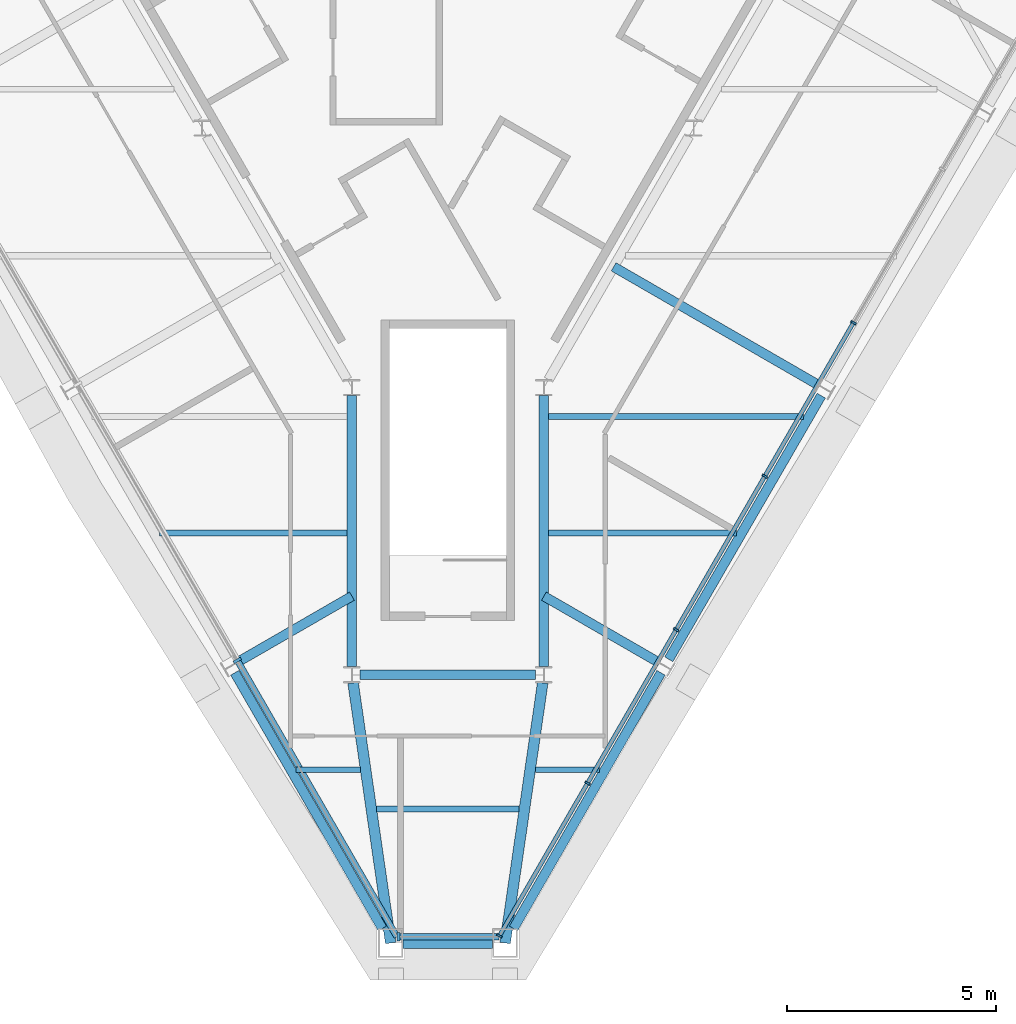
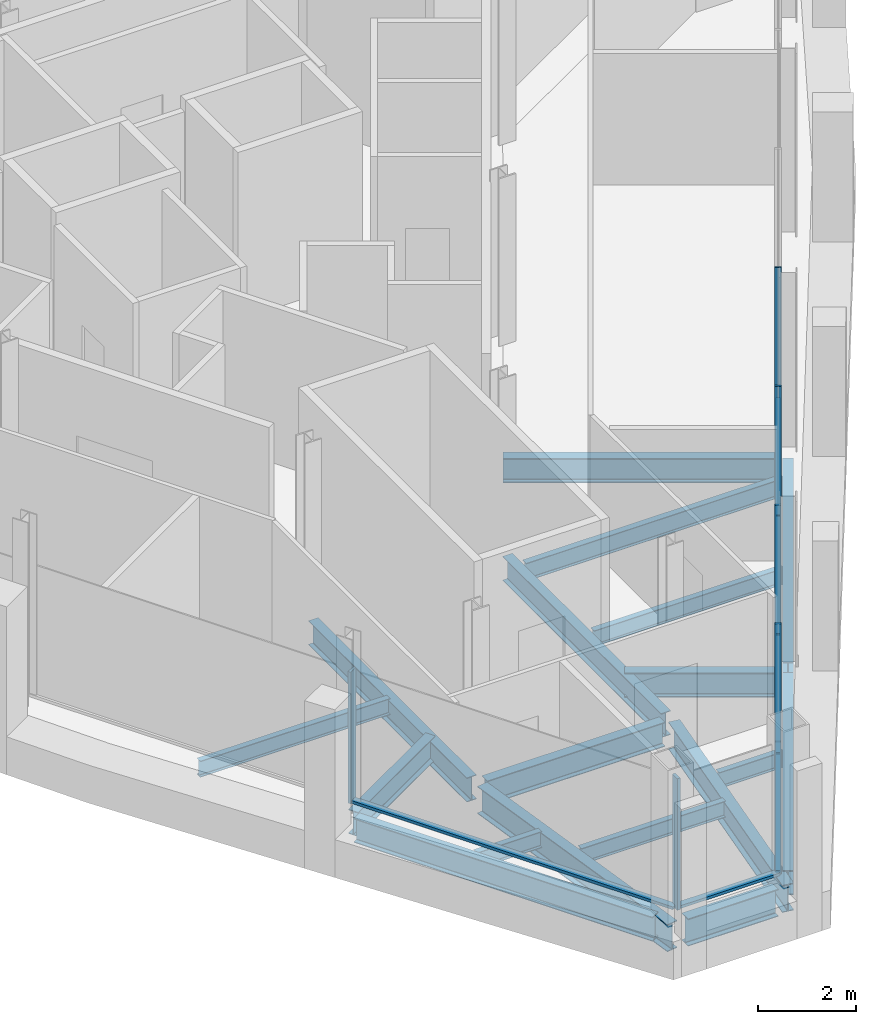
# One storey, part 3 of 11: 18 beams, 13 members, 3 elements without a shape of their own.
"""IFC4 building model written with IfcOpenShell, lengths in metres."""

from ifc_helpers import new_model, si_unit, direction, frame, origin, origin_2d, place, context, subcontext, project, spatial, rectangle, i_section, extrude, material, material_profile, profile_set, type_object, element, aggregate, save


model = new_model("IFC4")

# Units and contexts
model_context = context("Model", 3, precision=1e-05, world=origin(), true_north=direction((0.0, 1.0)))
body_context = subcontext(model_context, "Body", "Model", "MODEL_VIEW")
ifc_project = project(units=[si_unit("LENGTHUNIT", "METRE"), si_unit("AREAUNIT", "SQUARE_METRE"), si_unit("VOLUMEUNIT", "CUBIC_METRE"), si_unit("PLANEANGLEUNIT", "RADIAN"), si_unit("MASSUNIT", "GRAM", prefix="KILO")], contexts=[model_context])

# Site, building, storey
site_placement = place(None, origin())
site = spatial("IfcSite", under=ifc_project, at=site_placement, CompositionType="ELEMENT")
building_placement = place(site_placement, origin())
building = spatial("IfcBuilding", under=site, at=building_placement, Name="Verrane Prism Tower", CompositionType="ELEMENT")
storey_placement = place(building_placement, frame((0.0, 0.0, 329.39990234375)))
storey = spatial("IfcBuildingStorey", under=building, at=storey_placement, Name="L83", CompositionType="ELEMENT", Elevation=329.39990234375)

# Beams
ifc_material_1 = material(Name="Steel A992", Category="steel")
ifc_material_profile_1 = material_profile(ifc_material_1, i_section(OverallWidth=0.25390625, OverallDepth=0.683349609375, WebThickness=0.012451171875, FlangeThickness=0.01904296875, FilletRadius=0.01513671875, at=origin_2d()), Name="W27x94")
ifc_profile_set_1 = profile_set([ifc_material_profile_1], Name="Steel A992")
beam_type_1 = type_object("IfcBeamType", Name="Chamfer spandrel beam W27x94", PredefinedType="SPANDREL", material=ifc_profile_set_1)
beam_1_placement = place(storey_placement, frame((-1.070068359375, -22.929931640625, -0.50146484375), z_axis=(1.0, 0.0, 0.0), x_axis=(0.0, 1.0, 0.0)))
element("IfcBeam", 1, at=beam_1_placement, inside=storey, type_object=beam_type_1, Name="Chamfer spandrel beam L83", PredefinedType="SPANDREL", context=body_context, shape_type="SweptSolid", body=[
    extrude(i_section(OverallWidth=0.25390625, OverallDepth=0.683349609375, WebThickness=0.012451171875, FlangeThickness=0.01904296875, FilletRadius=0.01513671875, at=origin_2d()), origin(), (0.0, 0.0, 1.0), 2.14013671875),
])
ifc_material_2 = material(Name="Steel A992", Category="steel")
ifc_material_profile_2 = material_profile(ifc_material_2, i_section(OverallWidth=0.228271484375, OverallDepth=0.607177734375, WebThickness=0.01123046875, FlangeThickness=0.017333984375, FilletRadius=0.0126953125, at=origin_2d()), Name="W24x76")
ifc_profile_set_2 = profile_set([ifc_material_profile_2], Name="Steel A992")
beam_type_2 = type_object("IfcBeamType", Name="Core ring girder W24x76", PredefinedType="BEAM", material=ifc_profile_set_2)
beam_2_placement = place(storey_placement, frame((-2.300048828125, -9.81298828125, -0.553466796875), z_axis=(0.0, -1.0, 0.0), x_axis=(1.0, 0.0, 0.0)))
element("IfcBeam", 2, at=beam_2_placement, inside=storey, type_object=beam_type_2, Name="Core ring girder L83", PredefinedType="BEAM", context=body_context, shape_type="SweptSolid", body=[
    extrude(i_section(OverallWidth=0.228271484375, OverallDepth=0.607177734375, WebThickness=0.01123046875, FlangeThickness=0.017333984375, FilletRadius=0.0126953125, at=origin_2d()), origin(), (0.0, 0.0, 1.0), 6.493896484375),
])
beam_3_placement = place(storey_placement, frame((-2.1005859375, -16.5, -0.553466796875), z_axis=(1.0, 0.0, 0.0), x_axis=(0.0, 1.0, 0.0)))
element("IfcBeam", 3, at=beam_3_placement, inside=storey, type_object=beam_type_2, Name="Core ring girder L83", PredefinedType="BEAM", context=body_context, shape_type="SweptSolid", body=[
    extrude(i_section(OverallWidth=0.228271484375, OverallDepth=0.607177734375, WebThickness=0.01123046875, FlangeThickness=0.017333984375, FilletRadius=0.0126953125, at=origin_2d()), origin(), (0.0, 0.0, 1.0), 4.201171875),
])
beam_4_placement = place(storey_placement, frame((2.300048828125, -16.306884765625, -0.553466796875), z_axis=(0.0, 1.0, 0.0), x_axis=(-1.0, 0.0, 0.0)))
element("IfcBeam", 4, at=beam_4_placement, inside=storey, type_object=beam_type_2, Name="Core ring girder L83", PredefinedType="BEAM", context=body_context, shape_type="SweptSolid", body=[
    extrude(i_section(OverallWidth=0.228271484375, OverallDepth=0.607177734375, WebThickness=0.01123046875, FlangeThickness=0.017333984375, FilletRadius=0.0126953125, at=origin_2d()), origin(), (0.0, 0.0, 1.0), 6.493896484375),
])
ifc_material_3 = material(Name="Steel A992", Category="steel")
ifc_material_profile_3 = material_profile(ifc_material_3, i_section(OverallWidth=0.25390625, OverallDepth=0.683349609375, WebThickness=0.012451171875, FlangeThickness=0.01904296875, FilletRadius=0.01513671875, at=origin_2d()), Name="W27x94")
ifc_profile_set_3 = profile_set([ifc_material_profile_3], Name="Steel A992")
beam_type_3 = type_object("IfcBeamType", Name="Corner girder W27x94", PredefinedType="BEAM", material=ifc_profile_set_3)
beam_5_placement = place(storey_placement, frame((-1.37060546875, -22.926513671875, -0.5615234375), z_axis=(-0.143152302146, 0.989700671107, 0.0), x_axis=(-0.989700671107, -0.143152302146, 0.0)))
element("IfcBeam", 5, at=beam_5_placement, inside=storey, type_object=beam_type_3, Name="Corner girder L83", PredefinedType="BEAM", context=body_context, shape_type="SweptSolid", body=[
    extrude(i_section(OverallWidth=0.25390625, OverallDepth=0.683349609375, WebThickness=0.012451171875, FlangeThickness=0.01904296875, FilletRadius=0.01513671875, at=origin_2d()), origin(), (0.0, 0.0, 1.0), 6.29833984375),
])
beam_6_placement = place(storey_placement, frame((1.37060546875, -22.92626953125, -0.5615234375), z_axis=(0.143157794237, 0.989699876705, 0.0), x_axis=(-0.989699876705, 0.143157794237, 0.0)))
element("IfcBeam", 6, at=beam_6_placement, inside=storey, type_object=beam_type_3, Name="Corner girder L83", PredefinedType="BEAM", context=body_context, shape_type="SweptSolid", body=[
    extrude(i_section(OverallWidth=0.25390625, OverallDepth=0.683349609375, WebThickness=0.012451171875, FlangeThickness=0.01904296875, FilletRadius=0.01513671875, at=origin_2d()), origin(), (0.0, 0.0, 1.0), 6.298095703125),
])
ifc_material_4 = material(Name="Steel A992", Category="steel")
ifc_material_profile_4 = material_profile(ifc_material_4, i_section(OverallWidth=0.140380859375, OverallDepth=0.40380859375, WebThickness=0.007080078125, FlangeThickness=0.01123046875, FilletRadius=0.01025390625, at=origin_2d()), Name="W16x31")
ifc_profile_set_4 = profile_set([ifc_material_profile_4], Name="Steel A992")
beam_type_4 = type_object("IfcBeamType", Name="Floor beam W16x31", PredefinedType="BEAM", material=ifc_profile_set_4)
beam_7_placement = place(storey_placement, frame((-6.9130859375, -13.10009765625, -0.36181640625), z_axis=(1.0, 0.0, 0.0), x_axis=(0.0, 1.0, 0.0)))
element("IfcBeam", 7, at=beam_7_placement, inside=storey, type_object=beam_type_4, Name="Floor beam L83", PredefinedType="BEAM", context=body_context, shape_type="SweptSolid", body=[
    extrude(i_section(OverallWidth=0.140380859375, OverallDepth=0.40380859375, WebThickness=0.007080078125, FlangeThickness=0.01123046875, FilletRadius=0.01025390625, at=origin_2d()), origin(), (0.0, 0.0, 1.0), 4.4990234375),
])
for number, where, z_axis, x_axis, name in (
    (8, (-3.635009765625, -18.77490234375, -0.36181640625), (1.0, 0.0, 0.0), (0.0, 1.0, 0.0), "Floor beam L83"),
    (9, (2.099365234375, -18.77490234375, -0.36181640625), (1.0, 0.0, 0.0), (0.0, 1.0, 0.0), "Floor beam L83"),
):
    element("IfcBeam", number, at=place(storey_placement, frame(where, z_axis=z_axis, x_axis=x_axis)), inside=storey, type_object=beam_type_4, Name=name, PredefinedType="BEAM", context=body_context, shape_type="SweptSolid", body=[
        extrude(i_section(OverallWidth=0.140380859375, OverallDepth=0.40380859375, WebThickness=0.007080078125, FlangeThickness=0.01123046875, FilletRadius=0.01025390625, at=origin_2d()), origin(), (0.0, 0.0, 1.0), 1.53564453125),
    ])
beam_8_placement = place(storey_placement, frame((2.4140625, -13.10009765625, -0.36181640625), z_axis=(1.0, 0.0, 0.0), x_axis=(0.0, 1.0, 0.0)))
element("IfcBeam", 10, at=beam_8_placement, inside=storey, type_object=beam_type_4, Name="Floor beam L83", PredefinedType="BEAM", context=body_context, shape_type="SweptSolid", body=[
    extrude(i_section(OverallWidth=0.140380859375, OverallDepth=0.40380859375, WebThickness=0.007080078125, FlangeThickness=0.01123046875, FilletRadius=0.01025390625, at=origin_2d()), origin(), (0.0, 0.0, 1.0), 4.4990234375),
])
beam_9_placement = place(storey_placement, frame((-1.706787109375, -19.715087890625, -0.36181640625), z_axis=(1.0, 0.0, 0.0), x_axis=(0.0, 1.0, 0.0)))
element("IfcBeam", 11, at=beam_9_placement, inside=storey, type_object=beam_type_4, Name="Floor beam L83", PredefinedType="BEAM", context=body_context, shape_type="SweptSolid", body=[
    extrude(i_section(OverallWidth=0.140380859375, OverallDepth=0.40380859375, WebThickness=0.007080078125, FlangeThickness=0.01123046875, FilletRadius=0.01025390625, at=origin_2d()), origin(), (0.0, 0.0, 1.0), 3.41357421875),
])
ifc_material_5 = material(Name="Steel A992", Category="steel")
ifc_material_profile_5 = material_profile(ifc_material_5, i_section(OverallWidth=0.15234375, OverallDepth=0.449462890625, WebThickness=0.007568359375, FlangeThickness=0.0107421875, FilletRadius=0.01025390625, at=origin_2d()), Name="W18x35")
ifc_profile_set_5 = profile_set([ifc_material_profile_5], Name="Steel A992")
beam_type_5 = type_object("IfcBeamType", Name="Floor beam W18x35", PredefinedType="BEAM", material=ifc_profile_set_5)
beam_10_placement = place(storey_placement, frame((2.4140625, -10.31005859375, -0.384765625), z_axis=(1.0, 0.0, 0.0), x_axis=(0.0, 1.0, 0.0)))
element("IfcBeam", 12, at=beam_10_placement, inside=storey, type_object=beam_type_5, Name="Floor beam L83", PredefinedType="BEAM", context=body_context, shape_type="SweptSolid", body=[
    extrude(i_section(OverallWidth=0.15234375, OverallDepth=0.449462890625, WebThickness=0.007568359375, FlangeThickness=0.0107421875, FilletRadius=0.01025390625, at=origin_2d()), origin(), (0.0, 0.0, 1.0), 6.112548828125),
])

# Curtain wall, members
ifc_material_6 = material(Name="Aluminium framed insulated glazing", Category="aluminium")
curtain_wall_type_1 = type_object("IfcCurtainWallType", Name="Curtain wall CW-C 4200 module", PredefinedType="NOTDEFINED", material=ifc_material_6)
curtain_wall_1_placement = place(storey_placement, origin())
curtain_wall_1 = element("IfcCurtainWall", 13, at=curtain_wall_1_placement, inside=storey, type_object=curtain_wall_type_1, Name="Glazed curtain wall south-east face L83", PredefinedType="NOTDEFINED")
ifc_material_7 = material(Name="Aluminium alloy 6063-T6", Category="aluminium")
ifc_material_profile_6 = material_profile(ifc_material_7, rectangle(XDim=0.139892578125, YDim=0.050048828125, at=origin_2d()), Name="Mullion 50x140 aluminium")
ifc_profile_set_6 = profile_set([ifc_material_profile_6], Name="Aluminium alloy 6063-T6")
member_type_1 = type_object("IfcMemberType", Name="Mullion 50x140 aluminium", PredefinedType="MULLION", material=ifc_profile_set_6)
member_1_placement = place(storey_placement, frame((1.235107421875, -22.755126953125, 0.0), z_axis=(0.0, 0.0, 1.0), x_axis=(-0.866025278644, 0.500000216749, 0.0)))
member_1 = element("IfcMember", 14, at=member_1_placement, type_object=member_type_1, Name="CW83.6 mullion 1", PredefinedType="MULLION", context=body_context, shape_type="SweptSolid", body=[
    extrude(rectangle(XDim=0.139892578125, YDim=0.050048828125, at=origin_2d()), origin(), (0.0, 0.0, 1.0), 3.296875),
])
member_2_placement = place(storey_placement, frame((3.346435546875, -19.098388671875, 0.0), z_axis=(0.0, 0.0, 1.0), x_axis=(-0.866025278644, 0.500000216749, 0.0)))
member_2 = element("IfcMember", 15, at=member_2_placement, type_object=member_type_1, Name="CW83.6 mullion 2", PredefinedType="MULLION", context=body_context, shape_type="SweptSolid", body=[
    extrude(rectangle(XDim=0.139892578125, YDim=0.050048828125, at=origin_2d()), origin(), (0.0, 0.0, 1.0), 3.296875),
])
member_3_placement = place(storey_placement, frame((5.47021484375, -15.419921875, 0.0), z_axis=(0.0, 0.0, 1.0), x_axis=(-0.866025278644, 0.500000216749, 0.0)))
member_3 = element("IfcMember", 16, at=member_3_placement, type_object=member_type_1, Name="CW83.6 mullion 3", PredefinedType="MULLION", context=body_context, shape_type="SweptSolid", body=[
    extrude(rectangle(XDim=0.139892578125, YDim=0.050048828125, at=origin_2d()), origin(), (0.0, 0.0, 1.0), 3.296875),
])
member_4_placement = place(storey_placement, frame((7.593994140625, -11.741455078125, 0.0), z_axis=(0.0, 0.0, 1.0), x_axis=(-0.866025278644, 0.500000216749, 0.0)))
member_4 = element("IfcMember", 17, at=member_4_placement, type_object=member_type_1, Name="CW83.6 mullion 4", PredefinedType="MULLION", context=body_context, shape_type="SweptSolid", body=[
    extrude(rectangle(XDim=0.139892578125, YDim=0.050048828125, at=origin_2d()), origin(), (0.0, 0.0, 1.0), 3.296875),
])
member_5_placement = place(storey_placement, frame((9.7177734375, -8.062744140625, 0.0), z_axis=(0.0, 0.0, 1.0), x_axis=(-0.866025278644, 0.500000216749, 0.0)))
member_5 = element("IfcMember", 18, at=member_5_placement, type_object=member_type_1, Name="CW83.6 mullion 5", PredefinedType="MULLION", context=body_context, shape_type="SweptSolid", body=[
    extrude(rectangle(XDim=0.139892578125, YDim=0.050048828125, at=origin_2d()), origin(), (0.0, 0.0, 1.0), 3.296875),
])

# Curtain wall, member
ifc_material_8 = material(Name="Aluminium framed insulated glazing", Category="aluminium")
curtain_wall_type_2 = type_object("IfcCurtainWallType", Name="Curtain wall CW-A 8400 module", PredefinedType="NOTDEFINED", material=ifc_material_8)
curtain_wall_2_placement = place(storey_placement, origin())
curtain_wall_2 = element("IfcCurtainWall", 19, at=curtain_wall_2_placement, inside=storey, type_object=curtain_wall_type_2, Name="Glazed curtain wall south-west face L83", PredefinedType="NOTDEFINED")
ifc_material_9 = material(Name="Aluminium alloy 6063-T6", Category="aluminium")
ifc_material_profile_7 = material_profile(ifc_material_9, rectangle(XDim=0.199951171875, YDim=0.070068359375, at=origin_2d()), Name="Mullion 70x200 aluminium")
ifc_profile_set_7 = profile_set([ifc_material_profile_7], Name="Aluminium alloy 6063-T6")
member_type_2 = type_object("IfcMemberType", Name="Mullion 70x200 aluminium", PredefinedType="MULLION", material=ifc_profile_set_7)
member_6_placement = place(storey_placement, frame((-5.04541015625, -16.155517578125, 0.0), z_axis=(0.0, 0.0, 1.0), x_axis=(0.866025278644, 0.500000216749, 0.0)))
member_6 = element("IfcMember", 20, at=member_6_placement, type_object=member_type_2, Name="CW83.4 mullion 5", PredefinedType="MULLION", context=body_context, shape_type="SweptSolid", body=[
    extrude(rectangle(XDim=0.199951171875, YDim=0.070068359375, at=origin_2d()), origin(), (0.0, 0.0, 1.0), 3.296875),
])

curtain_wall_3_placement = place(storey_placement, origin())
curtain_wall_3 = element("IfcCurtainWall", 21, at=curtain_wall_3_placement, inside=storey, type_object=curtain_wall_type_2, Name="Glazed curtain wall south corner L83", PredefinedType="NOTDEFINED")
member_7_placement = place(storey_placement, frame((-1.1875, -22.77685546875, 0.0), z_axis=(0.0, 0.0, 1.0), x_axis=(0.0, 1.0, 0.0)))
member_7 = element("IfcMember", 22, at=member_7_placement, type_object=member_type_2, Name="CW83.5 mullion 1", PredefinedType="MULLION", context=body_context, shape_type="SweptSolid", body=[
    extrude(rectangle(XDim=0.199951171875, YDim=0.070068359375, at=origin_2d()), origin(), (0.0, 0.0, 1.0), 3.296875),
])

# Beams
ifc_material_10 = material(Name="Steel A992", Category="steel")
ifc_material_profile_8 = material_profile(ifc_material_10, i_section(OverallWidth=0.228271484375, OverallDepth=0.607177734375, WebThickness=0.01123046875, FlangeThickness=0.017333984375, FilletRadius=0.0126953125, at=origin_2d()), Name="W24x76")
ifc_profile_set_8 = profile_set([ifc_material_profile_8], Name="Steel A992")
beam_type_6 = type_object("IfcBeamType", Name="Radial girder W24x76", PredefinedType="BEAM", material=ifc_profile_set_8)
for number, where, z_axis, x_axis, name in (
    (23, (-5.04052734375, -16.197998046875, -0.5234375), (0.866017278078, 0.500014073873, 0.0), (-0.500014073873, 0.866017278078, 0.0), "Radial girder L83"),
    (24, (5.04052734375, -16.197998046875, -0.5234375), (-0.866017278078, 0.500014073873, 0.0), (-0.500014073873, -0.866017278078, 0.0), "Radial girder L83"),
):
    element("IfcBeam", number, at=place(storey_placement, frame(where, z_axis=z_axis, x_axis=x_axis)), inside=storey, type_object=beam_type_6, Name=name, PredefinedType="BEAM", context=body_context, shape_type="SweptSolid", body=[
        extrude(i_section(OverallWidth=0.228271484375, OverallDepth=0.607177734375, WebThickness=0.01123046875, FlangeThickness=0.017333984375, FilletRadius=0.0126953125, at=origin_2d()), origin(), (0.0, 0.0, 1.0), 3.16455078125),
    ])
beam_11_placement = place(storey_placement, frame((8.880615234375, -9.557861328125, -0.5234375), z_axis=(-0.866039985572, 0.499974742752, 0.0), x_axis=(-0.499974742752, -0.866039985572, 0.0)))
element("IfcBeam", 25, at=beam_11_placement, inside=storey, type_object=beam_type_6, Name="Radial girder L83", PredefinedType="BEAM", context=body_context, shape_type="SweptSolid", body=[
    extrude(i_section(OverallWidth=0.228271484375, OverallDepth=0.607177734375, WebThickness=0.01123046875, FlangeThickness=0.017333984375, FilletRadius=0.0126953125, at=origin_2d()), origin(), (0.0, 0.0, 1.0), 5.668212890625),
])
ifc_material_11 = material(Name="Steel A992", Category="steel")
ifc_material_profile_9 = material_profile(ifc_material_11, i_section(OverallWidth=0.228271484375, OverallDepth=0.607177734375, WebThickness=0.01123046875, FlangeThickness=0.017333984375, FilletRadius=0.0126953125, at=origin_2d()), Name="W24x76")
ifc_profile_set_9 = profile_set([ifc_material_profile_9], Name="Steel A992")
beam_type_7 = type_object("IfcBeamType", Name="Spandrel beam W24x76", PredefinedType="SPANDREL", material=ifc_profile_set_9)
for number, where, z_axis, x_axis, name in (
    (26, (-5.106689453125, -16.45166015625, -0.46337890625), (0.49962087648, -0.866244180232, 0.0), (0.866244180232, 0.49962087648, 0.0), "Spandrel beam L83"),
    (27, (1.572021484375, -22.580078125, -0.46337890625), (0.49962087648, 0.866244180232, 0.0), (-0.866244180232, 0.49962087648, 0.0), "Spandrel beam L83"),
):
    element("IfcBeam", number, at=place(storey_placement, frame(where, z_axis=z_axis, x_axis=x_axis)), inside=storey, type_object=beam_type_7, Name=name, PredefinedType="SPANDREL", context=body_context, shape_type="SweptSolid", body=[
        extrude(i_section(OverallWidth=0.228271484375, OverallDepth=0.607177734375, WebThickness=0.01123046875, FlangeThickness=0.017333984375, FilletRadius=0.0126953125, at=origin_2d()), origin(), (0.0, 0.0, 1.0), 7.07470703125),
    ])
beam_12_placement = place(storey_placement, frame((5.29345703125, -16.12841796875, -0.46337890625), z_axis=(0.50061813753, 0.865668227658, 0.0), x_axis=(-0.865668227658, 0.50061813753, 0.0)))
element("IfcBeam", 28, at=beam_12_placement, inside=storey, type_object=beam_type_7, Name="Spandrel beam L83", PredefinedType="SPANDREL", context=body_context, shape_type="SweptSolid", body=[
    extrude(i_section(OverallWidth=0.228271484375, OverallDepth=0.607177734375, WebThickness=0.01123046875, FlangeThickness=0.017333984375, FilletRadius=0.0126953125, at=origin_2d()), origin(), (0.0, 0.0, 1.0), 7.297119140625),
])

# Member
ifc_material_12 = material(Name="Aluminium alloy 6063-T6", Category="aluminium")
ifc_material_profile_10 = material_profile(ifc_material_12, rectangle(XDim=0.10009765625, YDim=0.050048828125, at=origin_2d()), Name="Transom 50x100 aluminium")
ifc_profile_set_10 = profile_set([ifc_material_profile_10], Name="Aluminium alloy 6063-T6")
member_type_3 = type_object("IfcMemberType", Name="Transom 50x100 aluminium", PredefinedType="USERDEFINED", material=ifc_profile_set_10)
member_8_placement = place(storey_placement, frame((1.24755859375, -22.7333984375, 0.025146484375), z_axis=(0.500028026075, 0.866009222318, 0.0), x_axis=(-0.866009222318, 0.500028026075, 0.0)))
member_8 = element("IfcMember", 29, at=member_8_placement, type_object=member_type_3, Name="CW83.6 transom 1", ObjectType="TRANSOM", PredefinedType="USERDEFINED", context=body_context, shape_type="SweptSolid", body=[
    extrude(rectangle(XDim=0.10009765625, YDim=0.050048828125, at=origin_2d()), origin(), (0.0, 0.0, 1.0), 4.172607421875),
])

member_9_placement = place(storey_placement, frame((3.35888671875, -19.07666015625, 0.025146484375), z_axis=(0.500011101102, 0.866018994465, 0.0), x_axis=(-0.866018994465, 0.500011101102, 0.0)))
member_9 = element("IfcMember", 30, at=member_9_placement, type_object=member_type_3, Name="CW83.6 transom 2", ObjectType="TRANSOM", PredefinedType="USERDEFINED", context=body_context, shape_type="SweptSolid", body=[
    extrude(rectangle(XDim=0.10009765625, YDim=0.050048828125, at=origin_2d()), origin(), (0.0, 0.0, 1.0), 4.19775390625),
])

member_10_placement = place(storey_placement, frame((5.482666015625, -15.398193359375, 0.025146484375), z_axis=(0.500011101102, 0.866018994465, 0.0), x_axis=(-0.866018994465, 0.500011101102, 0.0)))
member_10 = element("IfcMember", 31, at=member_10_placement, type_object=member_type_3, Name="CW83.6 transom 3", ObjectType="TRANSOM", PredefinedType="USERDEFINED", context=body_context, shape_type="SweptSolid", body=[
    extrude(rectangle(XDim=0.10009765625, YDim=0.050048828125, at=origin_2d()), origin(), (0.0, 0.0, 1.0), 4.19775390625),
])

member_11_placement = place(storey_placement, frame((7.6064453125, -11.7197265625, 0.025146484375), z_axis=(0.500011101102, 0.866018994465, 0.0), x_axis=(-0.866018994465, 0.500011101102, 0.0)))
member_11 = element("IfcMember", 32, at=member_11_placement, type_object=member_type_3, Name="CW83.6 transom 4", ObjectType="TRANSOM", PredefinedType="USERDEFINED", context=body_context, shape_type="SweptSolid", body=[
    extrude(rectangle(XDim=0.10009765625, YDim=0.050048828125, at=origin_2d()), origin(), (0.0, 0.0, 1.0), 4.19775390625),
])

aggregate(curtain_wall_1, [member_1, member_2, member_3, member_4, member_5, member_8, member_9, member_10, member_11])

ifc_material_13 = material(Name="Aluminium alloy 6063-T6", Category="aluminium")
ifc_material_profile_11 = material_profile(ifc_material_13, rectangle(XDim=0.14990234375, YDim=0.070068359375, at=origin_2d()), Name="Transom 70x150 aluminium")
ifc_profile_set_11 = profile_set([ifc_material_profile_11], Name="Aluminium alloy 6063-T6")
member_type_4 = type_object("IfcMemberType", Name="Transom 70x150 aluminium", PredefinedType="USERDEFINED", material=ifc_profile_set_11)
member_12_placement = place(storey_placement, frame((-5.02783203125, -16.185791015625, 0.03515625), z_axis=(0.49998255174, -0.866035477308, 0.0), x_axis=(0.866035477308, 0.49998255174, 0.0)))
member_12 = element("IfcMember", 33, at=member_12_placement, type_object=member_type_4, Name="CW83.4 transom 5", ObjectType="TRANSOM", PredefinedType="USERDEFINED", context=body_context, shape_type="SweptSolid", body=[
    extrude(rectangle(XDim=0.14990234375, YDim=0.070068359375, at=origin_2d()), origin(), (0.0, 0.0, 1.0), 7.610595703125),
])

aggregate(curtain_wall_2, [member_6, member_12])

member_13_placement = place(storey_placement, frame((-1.152587890625, -22.77685546875, 0.03515625), z_axis=(1.0, 0.0, 0.0), x_axis=(0.0, 1.0, 0.0)))
member_13 = element("IfcMember", 34, at=member_13_placement, type_object=member_type_4, Name="CW83.5 transom 1", ObjectType="TRANSOM", PredefinedType="USERDEFINED", context=body_context, shape_type="SweptSolid", body=[
    extrude(rectangle(XDim=0.14990234375, YDim=0.070068359375, at=origin_2d()), origin(), (0.0, 0.0, 1.0), 2.375244140625),
])

aggregate(curtain_wall_3, [member_7, member_13])

save(model, "model.ifc")
